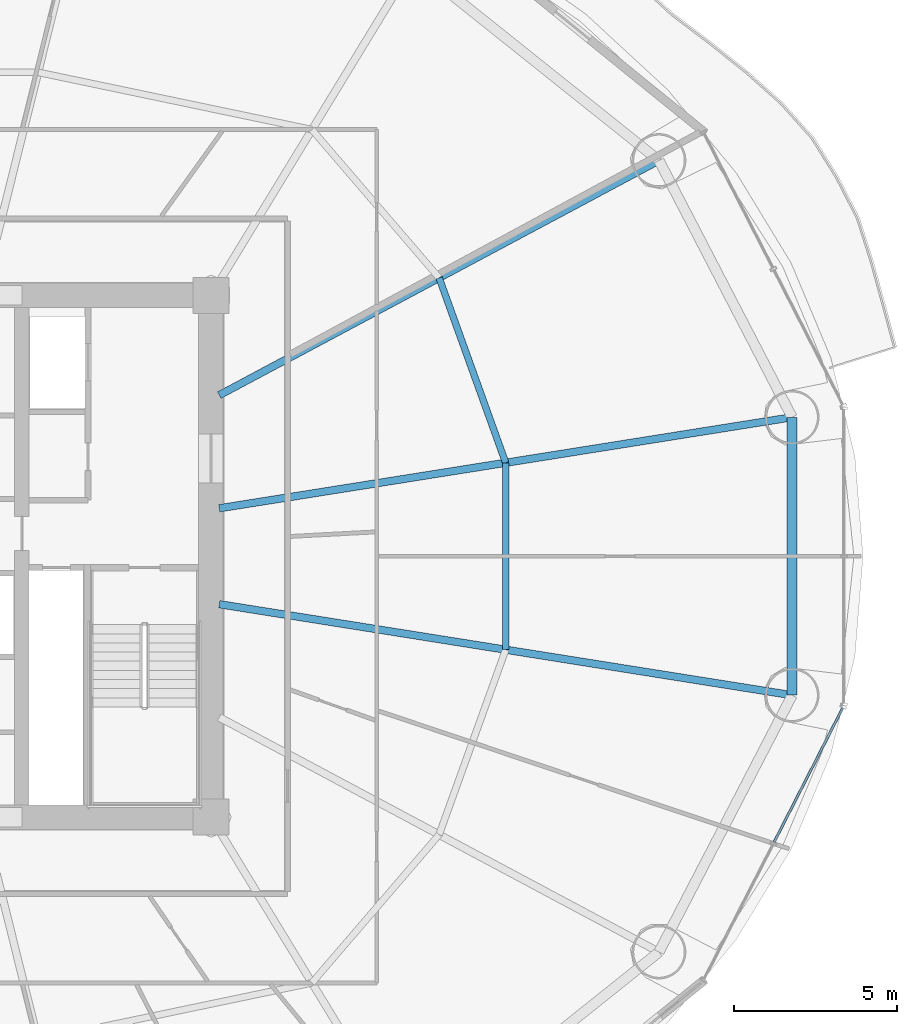
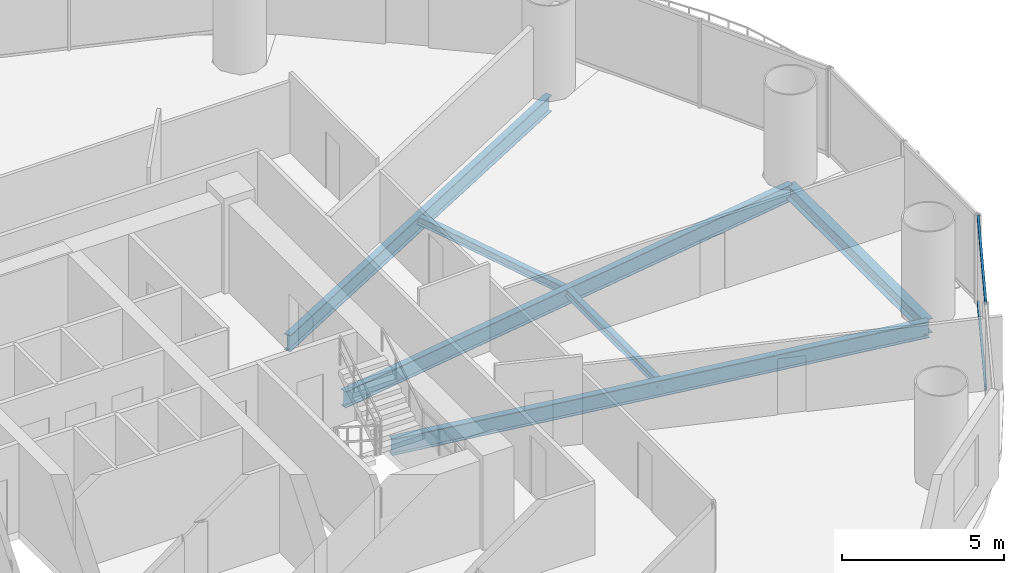
# One storey, part 14 of 30: 6 beams, 2 members, 1 element without a shape of its own.
"""IFC4 building model written with IfcOpenShell, lengths in metres."""

from ifc_helpers import new_model, si_unit, direction, frame, origin, origin_2d, place, context, subcontext, project, spatial, hollow_rectangle, i_section, extrude, source, transform, mapped, material, material_profile, profile_set, type_object, element, aggregate, save


model = new_model("IFC4")

# Units and contexts
model_context = context("Model", 3, precision=1e-05, world=origin(), true_north=direction((-0.2419218956, 0.970295726276)))
body_context = subcontext(model_context, "Body", "Model", "MODEL_VIEW")
ifc_project = project(units=[si_unit("LENGTHUNIT", "METRE"), si_unit("AREAUNIT", "SQUARE_METRE"), si_unit("VOLUMEUNIT", "CUBIC_METRE"), si_unit("PLANEANGLEUNIT", "RADIAN"), si_unit("MASSUNIT", "GRAM", prefix="KILO")], contexts=[model_context])

# Site, building, storey
site_placement = place(None, origin())
site = spatial("IfcSite", under=ifc_project, at=site_placement, CompositionType="ELEMENT")
building_placement = place(site_placement, origin())
building = spatial("IfcBuilding", under=site, at=building_placement, Name="Cobrevalo Terracotta Tower", CompositionType="ELEMENT")
storey_placement = place(building_placement, frame((0.0, 0.0, 60.0)))
storey = spatial("IfcBuildingStorey", under=building, at=storey_placement, Name="L15", CompositionType="ELEMENT", Elevation=60.0)

# Beams
ifc_material_1 = material(Name="Steel S355", Category="steel")
ifc_material_profile_1 = material_profile(ifc_material_1, i_section(OverallWidth=0.22998046875, OverallDepth=0.616943359375, WebThickness=0.01318359375, FlangeThickness=0.022216796875, at=origin_2d()), Name="W 610x140")
ifc_profile_set_1 = profile_set([ifc_material_profile_1], Name="Steel S355")
beam_type_1 = type_object("IfcBeamType", Name="Structural Beam W 610x140 (Steel S355)", PredefinedType="BEAM", material=ifc_profile_set_1)
beam_1_placement = place(storey_placement, frame((64.824462890625, 31.062744140625, -0.58837890625), z_axis=(-0.987607924622, -0.156941349628, 0.0), x_axis=(0.156941349628, -0.987607924622, 0.0)))
element("IfcBeam", 1, at=beam_1_placement, inside=storey, type_object=beam_type_1, Name="L15 radial floor girder 01", PredefinedType="BEAM", context=body_context, shape_type="SweptSolid", body=[
    extrude(i_section(OverallWidth=0.22998046875, OverallDepth=0.616943359375, WebThickness=0.01318359375, FlangeThickness=0.022216796875, at=origin_2d()), origin(), (0.0, 0.0, 1.0), 17.7900390625),
])
beam_2_placement = place(storey_placement, frame((60.74072265625, 38.939208984375, -0.58837890625), z_axis=(-0.88218223571, -0.470908168329, 0.0), x_axis=(0.470908168329, -0.88218223571, 0.0)))
element("IfcBeam", 2, at=beam_2_placement, inside=storey, type_object=beam_type_1, Name="L15 radial floor girder 02", PredefinedType="BEAM", context=body_context, shape_type="SweptSolid", body=[
    extrude(i_section(OverallWidth=0.22998046875, OverallDepth=0.616943359375, WebThickness=0.01318359375, FlangeThickness=0.022216796875, at=origin_2d()), origin(), (0.0, 0.0, 1.0), 15.286865234375),
])
beam_3_placement = place(storey_placement, frame((64.824462890625, 22.537353515625, -0.58837890625), z_axis=(-0.987607924622, 0.156941349628, 0.0), x_axis=(-0.156941349628, -0.987607924622, 0.0)))
element("IfcBeam", 3, at=beam_3_placement, inside=storey, type_object=beam_type_1, Name="L15 radial floor girder 16", PredefinedType="BEAM", context=body_context, shape_type="SweptSolid", body=[
    extrude(i_section(OverallWidth=0.22998046875, OverallDepth=0.616943359375, WebThickness=0.01318359375, FlangeThickness=0.022216796875, at=origin_2d()), origin(), (0.0, 0.0, 1.0), 17.7900390625),
])
ifc_material_profile_2 = material_profile(ifc_material_1, i_section(OverallWidth=0.2041015625, OverallDepth=0.305908203125, WebThickness=0.008544921875, FlangeThickness=0.0146484375, at=origin_2d()), Name="W 310x67")
ifc_profile_set_2 = profile_set([ifc_material_profile_2], Name="Steel S355")
beam_type_2 = type_object("IfcBeamType", Name="Structural Joist W 310x67 (Steel S355)", PredefinedType="JOIST", material=ifc_profile_set_2)
beam_4_placement = place(storey_placement, frame((56.039794921875, 29.666748046875, -0.43310546875), z_axis=(-0.338672151116, 0.940904444701, 0.0), x_axis=(-0.940904444701, -0.338672151116, 0.0)))
element("IfcBeam", 4, at=beam_4_placement, inside=storey, type_object=beam_type_2, Name="L15 circumferential secondary floor joist 01", PredefinedType="JOIST", context=body_context, shape_type="SweptSolid", body=[
    extrude(i_section(OverallWidth=0.2041015625, OverallDepth=0.305908203125, WebThickness=0.008544921875, FlangeThickness=0.0146484375, at=origin_2d()), origin(), (0.0, 0.0, 1.0), 6.029296875),
])
beam_5_placement = place(storey_placement, frame((56.039794921875, 23.933349609375, -0.43310546875), z_axis=(0.0, 1.0, 0.0), x_axis=(-1.0, 0.0, 0.0)))
element("IfcBeam", 5, at=beam_5_placement, inside=storey, type_object=beam_type_2, Name="L15 circumferential secondary floor joist 16", PredefinedType="JOIST", context=body_context, shape_type="SweptSolid", body=[
    extrude(i_section(OverallWidth=0.2041015625, OverallDepth=0.305908203125, WebThickness=0.008544921875, FlangeThickness=0.0146484375, at=origin_2d()), origin(), (0.0, 0.0, 1.0), 5.7333984375),
])
ifc_material_profile_3 = material_profile(ifc_material_1, i_section(OverallWidth=0.31201171875, OverallDepth=0.54296875, WebThickness=0.0126953125, FlangeThickness=0.020263671875, at=origin_2d()), Name="W 530x150")
ifc_profile_set_3 = profile_set([ifc_material_profile_3], Name="Steel S355")
beam_type_3 = type_object("IfcBeamType", Name="Structural Spandrel W 530x150 (Steel S355)", PredefinedType="SPANDREL", material=ifc_profile_set_3)
beam_6_placement = place(storey_placement, frame((64.824462890625, 22.537353515625, -0.551513671875), z_axis=(0.0, 1.0, 0.0), x_axis=(-1.0, 0.0, 0.0)))
element("IfcBeam", 6, at=beam_6_placement, inside=storey, type_object=beam_type_3, Name="L15 perimeter ring spandrel 16", PredefinedType="SPANDREL", context=body_context, shape_type="SweptSolid", body=[
    extrude(i_section(OverallWidth=0.31201171875, OverallDepth=0.54296875, WebThickness=0.0126953125, FlangeThickness=0.020263671875, at=origin_2d()), origin(), (0.0, 0.0, 1.0), 8.525390625),
])

# Curtain wall, members
ifc_material_2 = material(Name="Anodized aluminium", Category="aluminium")
curtain_wall_type = type_object("IfcCurtainWallType", Name="Lower-tower unitised acoustic low-E curtain wall CW-U1", PredefinedType="NOTDEFINED", material=ifc_material_2)
curtain_wall_placement = place(storey_placement, origin())
curtain_wall = element("IfcCurtainWall", 7, at=curtain_wall_placement, inside=storey, type_object=curtain_wall_type, Name="L15 curtain wall CW-L15-S15", PredefinedType="NOTDEFINED")
ifc_material_profile_4 = material_profile(ifc_material_2, hollow_rectangle(XDim=0.074951171875, YDim=0.14990234375, WallThickness=0.00439453125, at=origin_2d()), Name="CWT 75x150")
ifc_profile_set_4 = profile_set([ifc_material_profile_4], Name="Anodized aluminium")
member_type = type_object("IfcMemberType", Name="Tower unitised aluminium transom 75x150", PredefinedType="USERDEFINED", material=ifc_profile_set_4)
shared_shape = source(origin(), body_context, "Body", "SweptSolid", [
    extrude(hollow_rectangle(XDim=0.074951171875, YDim=0.14990234375, WallThickness=0.00439453125, at=origin_2d()), origin(), (0.0, 0.0, 1.0), 4.630859375),
])
member_1_placement = place(storey_placement, frame((64.268798828125, 18.026611328125, 0.050048828125), z_axis=(0.455229952508, 0.890373904795, 0.0), x_axis=(-0.890373904795, 0.455229952508, 0.0)))
member_1 = element("IfcMember", 8, at=member_1_placement, type_object=member_type, Name="CW-L15-S15 transom B02-T1", ObjectType="TRANSOM", PredefinedType="USERDEFINED", context=body_context, shape_type="MappedRepresentation", body=[
    mapped(shared_shape, transform((0.0, 0.0, 0.0), scale=1.0)),
])
member_2_placement = place(storey_placement, frame((64.268798828125, 18.026611328125, 3.27001953125), z_axis=(0.455229952508, 0.890373904795, 0.0), x_axis=(-0.890373904795, 0.455229952508, 0.0)))
member_2 = element("IfcMember", 9, at=member_2_placement, type_object=member_type, Name="CW-L15-S15 transom B02-T2", ObjectType="TRANSOM", PredefinedType="USERDEFINED", context=body_context, shape_type="MappedRepresentation", body=[
    mapped(shared_shape, transform((0.0, 0.0, 0.0), scale=1.0)),
])
aggregate(curtain_wall, [member_1, member_2])

save(model, "model.ifc")
